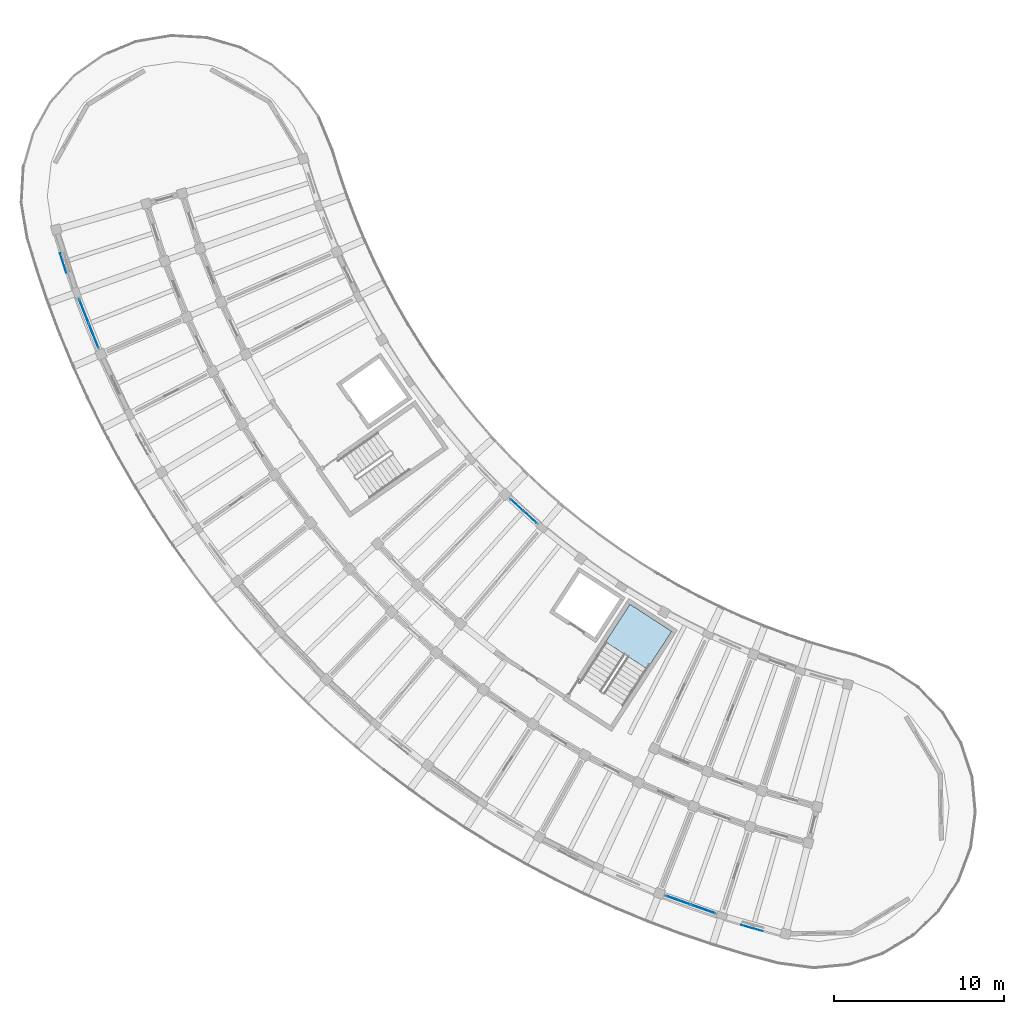
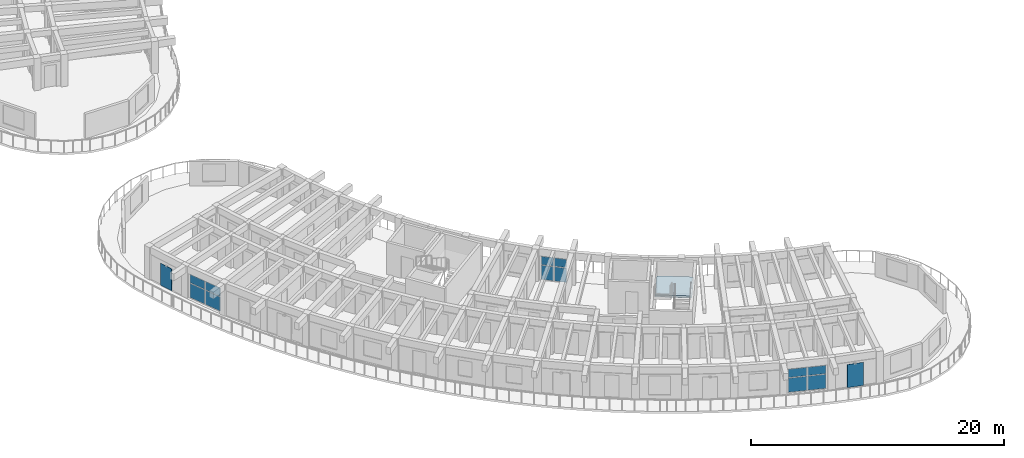
# One storey, part 31 of 81: 14 plates, 1 slab, 4 elements without a shape of their own.
"""IFC4 building model written with IfcOpenShell, lengths in metres."""

from ifc_helpers import new_model, si_unit, direction, frame, origin, origin_2d, place, context, subcontext, project, spatial, polyline, rectangle, outline, extrude, material, layer, layer_set, type_object, element, aggregate, save


model = new_model("IFC4")

# Units and contexts
model_context = context("Model", 3, precision=1e-05, world=origin(), true_north=direction((0.0, 1.0)))
body_context = subcontext(model_context, "Body", "Model", "MODEL_VIEW")
ifc_project = project(units=[si_unit("LENGTHUNIT", "METRE"), si_unit("AREAUNIT", "SQUARE_METRE"), si_unit("VOLUMEUNIT", "CUBIC_METRE"), si_unit("PLANEANGLEUNIT", "RADIAN"), si_unit("MASSUNIT", "GRAM", prefix="KILO")], contexts=[model_context])

# Site, building, storey
site_placement = place(None, origin())
site = spatial("IfcSite", under=ifc_project, at=site_placement, CompositionType="ELEMENT")
building_placement = place(site_placement, origin())
building = spatial("IfcBuilding", under=site, at=building_placement, Name="Tanwirah Colonnade Gardens", CompositionType="ELEMENT")
storey_placement = place(building_placement, frame((0.0, 0.0, 18.919921875)))
storey = spatial("IfcBuildingStorey", under=building, at=storey_placement, Name="L05", CompositionType="ELEMENT", Elevation=18.919921875)

# Curtain wall, plates
ifc_material_1 = material(Name="Bronze-anodised aluminium and solar-control low-E glass", Category="aluminium")
curtain_wall_type_1 = type_object("IfcCurtainWallType", Name="CW-LOB", PredefinedType="NOTDEFINED", material=ifc_material_1)
curtain_wall_1_placement = place(storey_placement, origin())
curtain_wall_1 = element("IfcCurtainWall", 1, at=curtain_wall_1_placement, inside=storey, type_object=curtain_wall_type_1, Name="Curtain Wall CW-C-L05-OUT-01", PredefinedType="NOTDEFINED")
ifc_material_2 = material(Name="Insulated bronze aluminium spandrel panel", Category="aluminium")
ifc_layer_1 = layer(ifc_material_2, 0.035888671875)
ifc_layer_set_1 = layer_set([ifc_layer_1], Name="Insulated bronze aluminium spandrel panel")
plate_type_1 = type_object("IfcPlateType", Name="CWP-SPN36", PredefinedType="CURTAIN_PANEL", material=ifc_layer_set_1)
plate_1_placement = place(storey_placement, frame((9.38427734375, 43.2890625, 0.06494140625), z_axis=(0.0, 0.0, 1.0), x_axis=(0.368528781723, -0.929616338627, 0.0)))
plate_1 = element("IfcPlate", 2, at=plate_1_placement, type_object=plate_type_1, Name="CW-LOB panel 1.1", PredefinedType="CURTAIN_PANEL", context=body_context, shape_type="SweptSolid", body=[
    extrude(rectangle(XDim=1.490966796875, YDim=0.035888671875, at=origin_2d()), origin(), (0.0, 0.0, 1.0), 1.362548828125),
])
plate_2_placement = place(storey_placement, frame((9.38427734375, 43.2890625, 1.49267578125), z_axis=(0.0, 0.0, 1.0), x_axis=(0.368528781723, -0.929616338627, 0.0)))
plate_2 = element("IfcPlate", 3, at=plate_2_placement, type_object=plate_type_1, Name="CW-LOB panel 1.2", PredefinedType="CURTAIN_PANEL", context=body_context, shape_type="SweptSolid", body=[
    extrude(rectangle(XDim=1.490966796875, YDim=0.035888671875, at=origin_2d()), origin(), (0.0, 0.0, 1.0), 0.79736328125),
])
plate_3_placement = place(storey_placement, frame((9.957763671875, 41.842529296875, 0.06494140625), z_axis=(0.0, 0.0, 1.0), x_axis=(0.368528781723, -0.929616338627, 0.0)))
plate_3 = element("IfcPlate", 4, at=plate_3_placement, type_object=plate_type_1, Name="CW-LOB panel 2.1", PredefinedType="CURTAIN_PANEL", context=body_context, shape_type="SweptSolid", body=[
    extrude(rectangle(XDim=1.490966796875, YDim=0.035888671875, at=origin_2d()), origin(), (0.0, 0.0, 1.0), 1.362548828125),
])
plate_4_placement = place(storey_placement, frame((9.957763671875, 41.842529296875, 1.49267578125), z_axis=(0.0, 0.0, 1.0), x_axis=(0.368528781723, -0.929616338627, 0.0)))
plate_4 = element("IfcPlate", 5, at=plate_4_placement, type_object=plate_type_1, Name="CW-LOB panel 2.2", PredefinedType="CURTAIN_PANEL", context=body_context, shape_type="SweptSolid", body=[
    extrude(rectangle(XDim=1.490966796875, YDim=0.035888671875, at=origin_2d()), origin(), (0.0, 0.0, 1.0), 0.79736328125),
])
aggregate(curtain_wall_1, [plate_1, plate_2, plate_3, plate_4])

curtain_wall_type_2 = type_object("IfcCurtainWallType", Name="CW-GDN", PredefinedType="NOTDEFINED", material=ifc_material_1)
curtain_wall_2_placement = place(storey_placement, origin())
curtain_wall_2 = element("IfcCurtainWall", 6, at=curtain_wall_2_placement, inside=storey, type_object=curtain_wall_type_2, Name="Curtain Wall CW-C-L05-IN-08", PredefinedType="NOTDEFINED")
plate_5_placement = place(storey_placement, frame((34.807373046875, 31.906005859375, 0.06494140625), z_axis=(0.0, 0.0, 1.0), x_axis=(0.741682643058, -0.670750964954, 0.0)))
plate_5 = element("IfcPlate", 7, at=plate_5_placement, type_object=plate_type_1, Name="CW-GDN panel 1.1", PredefinedType="CURTAIN_PANEL", context=body_context, shape_type="SweptSolid", body=[
    extrude(rectangle(XDim=0.996826171875, YDim=0.035888671875, at=origin_2d()), origin(), (0.0, 0.0, 1.0), 1.362548828125),
])
plate_6_placement = place(storey_placement, frame((34.807373046875, 31.906005859375, 1.49267578125), z_axis=(0.0, 0.0, 1.0), x_axis=(0.741682643058, -0.670750964954, 0.0)))
plate_6 = element("IfcPlate", 8, at=plate_6_placement, type_object=plate_type_1, Name="CW-GDN panel 1.2", PredefinedType="CURTAIN_PANEL", context=body_context, shape_type="SweptSolid", body=[
    extrude(rectangle(XDim=0.996826171875, YDim=0.035888671875, at=origin_2d()), origin(), (0.0, 0.0, 1.0), 0.79736328125),
])
plate_7_placement = place(storey_placement, frame((35.594970703125, 31.193603515625, 0.06494140625), z_axis=(0.0, 0.0, 1.0), x_axis=(0.741682643058, -0.670750964954, 0.0)))
plate_7 = element("IfcPlate", 9, at=plate_7_placement, type_object=plate_type_1, Name="CW-GDN panel 2.1", PredefinedType="CURTAIN_PANEL", context=body_context, shape_type="SweptSolid", body=[
    extrude(rectangle(XDim=0.996826171875, YDim=0.035888671875, at=origin_2d()), origin(), (0.0, 0.0, 1.0), 1.362548828125),
])
plate_8_placement = place(storey_placement, frame((35.594970703125, 31.193603515625, 1.49267578125), z_axis=(0.0, 0.0, 1.0), x_axis=(0.741682643058, -0.670750964954, 0.0)))
plate_8 = element("IfcPlate", 10, at=plate_8_placement, type_object=plate_type_1, Name="CW-GDN panel 2.2", PredefinedType="CURTAIN_PANEL", context=body_context, shape_type="SweptSolid", body=[
    extrude(rectangle(XDim=0.996826171875, YDim=0.035888671875, at=origin_2d()), origin(), (0.0, 0.0, 1.0), 0.79736328125),
])
aggregate(curtain_wall_2, [plate_5, plate_6, plate_7, plate_8])

curtain_wall_3_placement = place(storey_placement, origin())
curtain_wall_3 = element("IfcCurtainWall", 11, at=curtain_wall_3_placement, inside=storey, type_object=curtain_wall_type_1, Name="Curtain Wall CW-C-L05-OUT-14", PredefinedType="NOTDEFINED")
plate_9_placement = place(storey_placement, frame((44.27734375, 8.700439453125, 0.06494140625), z_axis=(0.0, 0.0, 1.0), x_axis=(0.941911145793, -0.335862164333, 0.0)))
plate_9 = element("IfcPlate", 12, at=plate_9_placement, type_object=plate_type_1, Name="CW-LOB panel 1.1", PredefinedType="CURTAIN_PANEL", context=body_context, shape_type="SweptSolid", body=[
    extrude(rectangle(XDim=1.490966796875, YDim=0.035888671875, at=origin_2d()), origin(), (0.0, 0.0, 1.0), 1.362548828125),
])
plate_10_placement = place(storey_placement, frame((44.27734375, 8.700439453125, 1.49267578125), z_axis=(0.0, 0.0, 1.0), x_axis=(0.941911145793, -0.335862164333, 0.0)))
plate_10 = element("IfcPlate", 13, at=plate_10_placement, type_object=plate_type_1, Name="CW-LOB panel 1.2", PredefinedType="CURTAIN_PANEL", context=body_context, shape_type="SweptSolid", body=[
    extrude(rectangle(XDim=1.490966796875, YDim=0.035888671875, at=origin_2d()), origin(), (0.0, 0.0, 1.0), 0.79736328125),
])
plate_11_placement = place(storey_placement, frame((45.742919921875, 8.177978515625, 0.06494140625), z_axis=(0.0, 0.0, 1.0), x_axis=(0.941911145793, -0.335862164333, 0.0)))
plate_11 = element("IfcPlate", 14, at=plate_11_placement, type_object=plate_type_1, Name="CW-LOB panel 2.1", PredefinedType="CURTAIN_PANEL", context=body_context, shape_type="SweptSolid", body=[
    extrude(rectangle(XDim=1.490966796875, YDim=0.035888671875, at=origin_2d()), origin(), (0.0, 0.0, 1.0), 1.362548828125),
])
plate_12_placement = place(storey_placement, frame((45.742919921875, 8.177978515625, 1.49267578125), z_axis=(0.0, 0.0, 1.0), x_axis=(0.941911145793, -0.335862164333, 0.0)))
plate_12 = element("IfcPlate", 15, at=plate_12_placement, type_object=plate_type_1, Name="CW-LOB panel 2.2", PredefinedType="CURTAIN_PANEL", context=body_context, shape_type="SweptSolid", body=[
    extrude(rectangle(XDim=1.490966796875, YDim=0.035888671875, at=origin_2d()), origin(), (0.0, 0.0, 1.0), 0.79736328125),
])
aggregate(curtain_wall_3, [plate_9, plate_10, plate_11, plate_12])

# Plates
ifc_material_3 = material(Name="Laser-cut bronze aluminium solar screen plate", Category="aluminium")
ifc_layer_2 = layer(ifc_material_3, 0.01611328125)
ifc_layer_set_2 = layer_set([ifc_layer_2], Name="Laser-cut bronze aluminium solar screen plate")
plate_type_2 = type_object("IfcPlateType", Name="PLT-SCR16", PredefinedType="SHEET", material=ifc_layer_set_2)
plate_13_placement = place(storey_placement, frame((8.16162109375, 46.121826171875, 0.000244140625), z_axis=(0.0, 0.0, 1.0), x_axis=(0.30694295016, -0.951727915608, 0.0)))
element("IfcPlate", 16, at=plate_13_placement, inside=storey, type_object=plate_type_2, Name="Perforated solar screen plate C-L05-00", PredefinedType="SHEET", context=body_context, shape_type="SweptSolid", body=[
    extrude(rectangle(XDim=1.179931640625, YDim=0.01611328125, at=origin_2d()), origin(), (0.0, 0.0, 1.0), 2.1298828125),
])
plate_14_placement = place(storey_placement, frame((48.61669921875, 7.054931640625, 0.0), z_axis=(0.0, 0.0, 1.0), x_axis=(0.961860770803, -0.273539499139, 0.0)))
element("IfcPlate", 17, at=plate_14_placement, inside=storey, type_object=plate_type_2, Name="Perforated solar screen plate C-L05-15", PredefinedType="SHEET", context=body_context, shape_type="SweptSolid", body=[
    extrude(rectangle(XDim=1.320068359375, YDim=0.01611328125, at=origin_2d()), origin(), (0.0, 0.0, 1.0), 2.235107421875),
])

# Stair, slab
ifc_material_4 = material(Name="Precast concrete C40/50", Category="concrete")
stair_type = type_object("IfcStairType", Name="ST-RES168", PredefinedType="HALF_TURN_STAIR", material=ifc_material_4)
stair_placement = place(storey_placement, origin())
stair = element("IfcStair", 18, at=stair_placement, inside=storey, type_object=stair_type, Name="L05 Block C Core 2 Exit Stair", PredefinedType="HALF_TURN_STAIR")
ifc_layer_3 = layer(ifc_material_4, 0.205078125)
ifc_layer_set_3 = layer_set([ifc_layer_3], Name="Precast concrete C40/50")
slab_type = type_object("IfcSlabType", Name="SL-LND-205", PredefinedType="LANDING", material=ifc_layer_set_3)
slab_placement = place(storey_placement, frame((0.0, 0.0, 1.47509765625)))
slab = element("IfcSlab", 19, at=slab_placement, type_object=slab_type, Name="ST-C2 landing 1", PredefinedType="LANDING", context=body_context, shape_type="SweptSolid", body=[
    extrude(outline(polyline([(42.467529296875, 22.27490234375), (43.902587890625, 24.48486328125), (41.45361328125, 26.0751953125), (40.0185546875, 23.865234375), (42.467529296875, 22.27490234375)])), origin(), (0.0, 0.0, 1.0), 0.205078125),
])
aggregate(stair, [slab])

save(model, "model.ifc")
